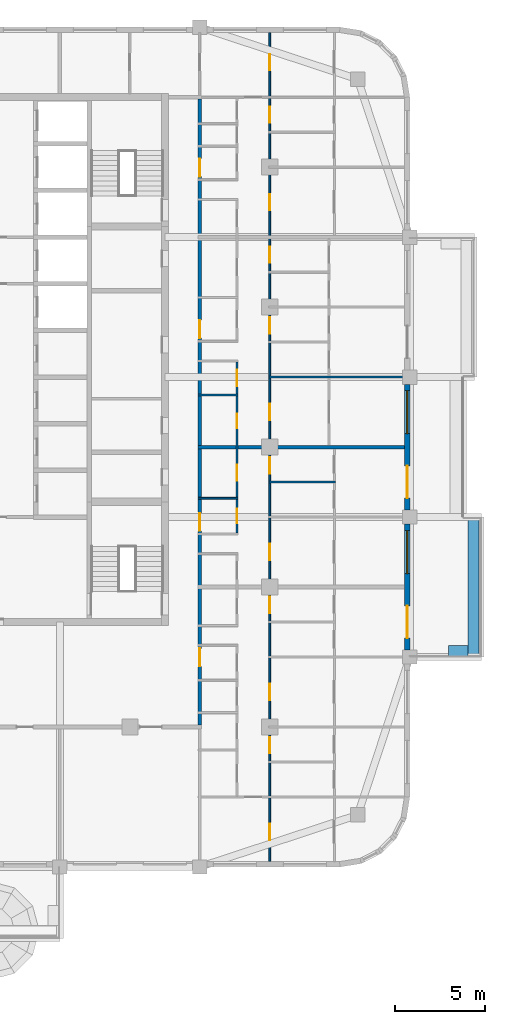
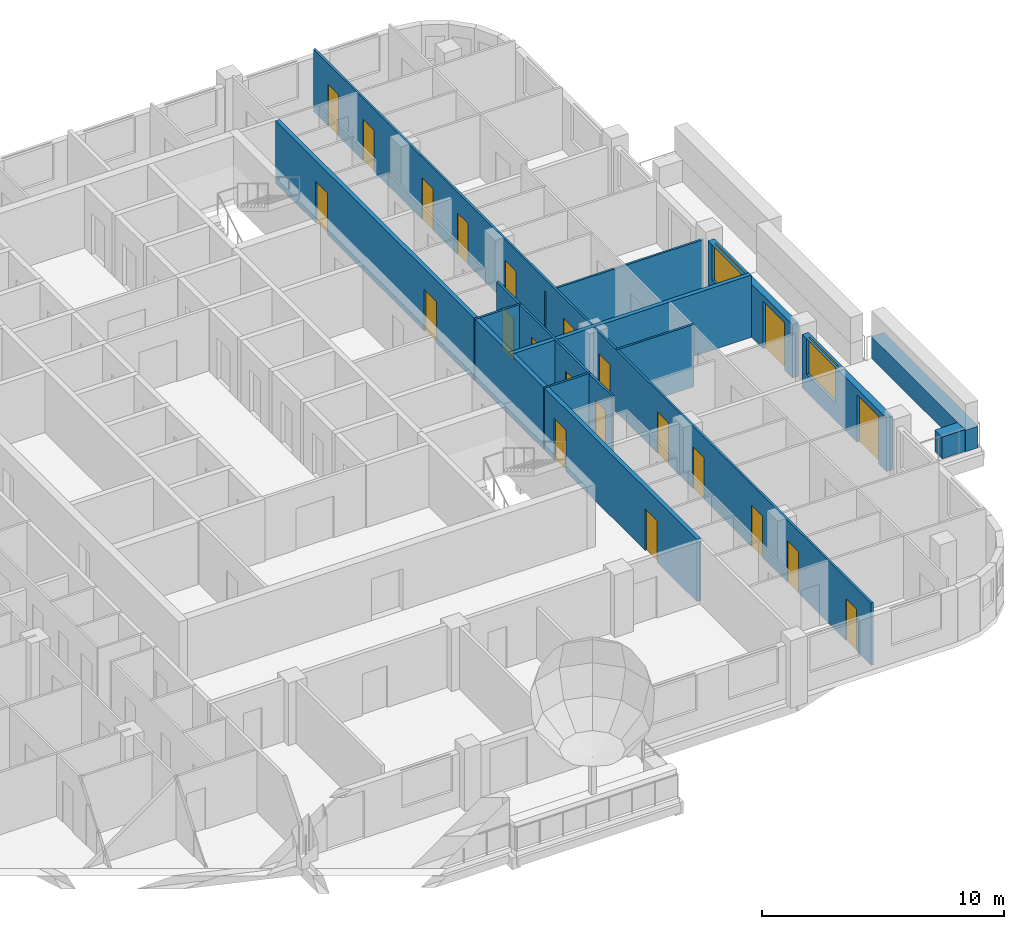
# One storey, part 7 of 17: 22 doors, 12 walls, 2 windows, 24 openings.
"""IFC4 building model written with IfcOpenShell, lengths in metres."""

from ifc_helpers import new_model, si_unit, direction, frame, frame_2d, origin, place, context, subcontext, project, spatial, rectangle, extrude, material, layer, layer_set, type_object, element, fill, save


model = new_model("IFC4")

# Units and contexts
model_context = context("Model", 3, precision=1e-05, world=origin(), true_north=direction((0.0, 1.0)))
body_context = subcontext(model_context, "Body", "Model", "MODEL_VIEW")
ifc_project = project(units=[si_unit("LENGTHUNIT", "METRE"), si_unit("AREAUNIT", "SQUARE_METRE"), si_unit("VOLUMEUNIT", "CUBIC_METRE"), si_unit("PLANEANGLEUNIT", "RADIAN"), si_unit("MASSUNIT", "GRAM", prefix="KILO")], contexts=[model_context])

# Site, building, storey
site_placement = place(None, origin())
site = spatial("IfcSite", under=ifc_project, at=site_placement, CompositionType="ELEMENT")
building_placement = place(site_placement, origin())
building = spatial("IfcBuilding", under=site, at=building_placement, Name="Ludao Terraces", CompositionType="ELEMENT")
storey_placement = place(building_placement, frame((0.0, 0.0, 221.10009765625)))
storey = spatial("IfcBuildingStorey", under=building, at=storey_placement, Name="L60", CompositionType="ELEMENT", Elevation=221.10009765625)

# Walls
ifc_material_1 = material(Name="Concrete C40", Category="concrete")
ifc_layer_1 = layer(ifc_material_1, 0.60009765625)
ifc_layer_set_1 = layer_set([ifc_layer_1], Name="ENV Planter trough 600")
wall_type_1 = type_object("IfcWallType", Name="ENV Planter trough 600", PredefinedType="USERDEFINED", material=ifc_layer_set_1)
wall_1_placement = place(storey_placement, frame((111.949951171875, 53.300048828125, 0.0), z_axis=(0.0, 0.0, 1.0), x_axis=(0.0, 1.0, 0.0)))
element("IfcWall", 1, at=wall_1_placement, inside=storey, type_object=wall_type_1, Name="PL-L60-E1", ObjectType="PLANTER", PredefinedType="USERDEFINED", context=body_context, shape_type="SweptSolid", body=[
    extrude(rectangle(XDim=7.800048828125, YDim=0.60009765625, at=frame_2d((3.89990234375, 0.0))), origin(), (0.0, 0.0, 1.0), 1.099853515625),
])
wall_2_placement = place(storey_placement, frame((111.64990234375, 53.64990234375, 0.0), z_axis=(0.0, 0.0, 1.0), x_axis=(-1.0, 0.0, 0.0)))
element("IfcWall", 2, at=wall_2_placement, inside=storey, type_object=wall_type_1, Name="PL-L60-E1-SA", ObjectType="PLANTER", PredefinedType="USERDEFINED", context=body_context, shape_type="SweptSolid", body=[
    extrude(rectangle(XDim=1.099853515625, YDim=0.60009765625, at=frame_2d((0.5498046875, 0.0))), origin(), (0.0, 0.0, 1.0), 1.099853515625),
])

# Wall, openings, door, window
ifc_material_2 = material(Name="Granite cladding", Category="masonry")
ifc_layer_2 = layer(ifc_material_2, 0.0400390625, Category="stone")
ifc_material_3 = material(Name="Mineral wool")
ifc_layer_3 = layer(ifc_material_3, 0.06005859375)
ifc_layer_4 = layer(ifc_material_1, 0.199951171875, Category="concrete")
ifc_layer_set_2 = layer_set([ifc_layer_2, ifc_layer_3, ifc_layer_4], Name="ENV Stone-clad wall 300")
wall_type_2 = type_object("IfcWallType", Name="ENV Stone-clad wall 300", PredefinedType="SOLIDWALL", material=ifc_layer_set_2)
wall_3_placement = place(storey_placement, frame((108.25, 53.699951171875, 0.0), z_axis=(0.0, 0.0, 1.0), x_axis=(0.0, 1.0, 0.0)))
wall_3 = element("IfcWall", 3, at=wall_3_placement, inside=storey, type_object=wall_type_2, Name="EW-L60-E2", PredefinedType="SOLIDWALL", context=body_context, shape_type="SweptSolid", body=[
    extrude(rectangle(XDim=7.0, YDim=0.300048828125, at=frame_2d((3.5, 0.0))), origin(), (0.0, 0.0, 1.0), 2.699951171875),
])
opening_1_placement = place(wall_3_placement, frame((0.64990234375, 0.0, 0.0)))
opening_1 = element("IfcOpeningElement", 4, at=opening_1_placement, cuts=wall_3, Name="Opening BD", PredefinedType="OPENING", context=body_context, shape_type="SweptSolid", body=[
    extrude(rectangle(XDim=1.800048828125, YDim=2.39990234375, at=frame_2d((0.89990234375, 1.199951171875))), frame((0.0, 0.16015625, 0.0), z_axis=(0.0, -1.0, 0.0), x_axis=(1.0, 0.0, 0.0)), (0.0, 0.0, 1.0), 0.320068359375),
])
opening_2_placement = place(wall_3_placement, frame((4.25, 0.0, 0.89990234375)))
opening_2 = element("IfcOpeningElement", 5, at=opening_2_placement, cuts=wall_3, Name="Opening W1", PredefinedType="OPENING", context=body_context, shape_type="SweptSolid", body=[
    extrude(rectangle(XDim=2.39990234375, YDim=1.800048828125, at=frame_2d((1.199951171875, 0.89990234375))), frame((0.0, 0.16015625, 0.0), z_axis=(0.0, -1.0, 0.0), x_axis=(1.0, 0.0, 0.0)), (0.0, 0.0, 1.0), 0.320068359375),
])
ifc_material_4 = material(Name="Aluminium glazed door", Category="aluminium")
ifc_layer_5 = layer(ifc_material_4, 0.06005859375)
ifc_layer_set_3 = layer_set([ifc_layer_5], Name="ENV Balcony door BD 1800x2400")
door_type_1 = type_object("IfcDoorType", Name="ENV Balcony door BD 1800x2400", OperationType="DOUBLE_DOOR_SINGLE_SWING", PredefinedType="DOOR", material=ifc_layer_set_3)
door_1_placement = place(opening_1_placement, origin())
door_1 = element("IfcDoor", 6, at=door_1_placement, inside=storey, type_object=door_type_1, Name="BD-L60-E2-1", OperationType="DOUBLE_DOOR_SINGLE_SWING", OverallHeight=2.39990234375, OverallWidth=1.800048828125, PredefinedType="DOOR", context=body_context, shape_type="SweptSolid", body=[
    extrude(rectangle(XDim=1.800048828125, YDim=2.39990234375, at=frame_2d((0.89990234375, 1.199951171875))), frame((0.0, 0.02490234375, 0.0), z_axis=(0.0, -1.0, 0.0), x_axis=(1.0, 0.0, 0.0)), (0.0, 0.0, 1.0), 0.050048828125),
])
fill(opening_1, door_1)
ifc_material_5 = material(Name="Clear glass in aluminium frame", Category="aluminium")
ifc_layer_6 = layer(ifc_material_5, 0.06005859375)
ifc_layer_set_4 = layer_set([ifc_layer_6], Name="ENV Window W1 2400x1800")
window_type = type_object("IfcWindowType", Name="ENV Window W1 2400x1800", PartitioningType="DOUBLE_PANEL_VERTICAL", PredefinedType="WINDOW", material=ifc_layer_set_4)
window_1_placement = place(opening_2_placement, origin())
window_1 = element("IfcWindow", 7, at=window_1_placement, inside=storey, type_object=window_type, Name="W-L60-E2-2", OverallHeight=1.800048828125, OverallWidth=2.39990234375, PartitioningType="DOUBLE_PANEL_VERTICAL", PredefinedType="WINDOW", context=body_context, shape_type="SweptSolid", body=[
    extrude(rectangle(XDim=2.39990234375, YDim=1.800048828125, at=frame_2d((1.199951171875, 0.89990234375))), frame((0.0, 0.030029296875, 0.0), z_axis=(0.0, -1.0, 0.0), x_axis=(1.0, 0.0, 0.0)), (0.0, 0.0, 1.0), 0.06005859375),
])
fill(opening_2, window_1)

wall_4_placement = place(storey_placement, frame((108.25, 61.5, 0.0), z_axis=(0.0, 0.0, 1.0), x_axis=(0.0, 1.0, 0.0)))
wall_4 = element("IfcWall", 8, at=wall_4_placement, inside=storey, type_object=wall_type_2, Name="EW-L60-E3", PredefinedType="SOLIDWALL", context=body_context, shape_type="SweptSolid", body=[
    extrude(rectangle(XDim=7.0, YDim=0.300048828125, at=frame_2d((3.5, 0.0))), origin(), (0.0, 0.0, 1.0), 2.699951171875),
])
opening_3_placement = place(wall_4_placement, frame((0.64990234375, 0.0, 0.0)))
opening_3 = element("IfcOpeningElement", 9, at=opening_3_placement, cuts=wall_4, Name="Opening BD", PredefinedType="OPENING", context=body_context, shape_type="SweptSolid", body=[
    extrude(rectangle(XDim=1.800048828125, YDim=2.39990234375, at=frame_2d((0.89990234375, 1.199951171875))), frame((0.0, 0.16015625, 0.0), z_axis=(0.0, -1.0, 0.0), x_axis=(1.0, 0.0, 0.0)), (0.0, 0.0, 1.0), 0.320068359375),
])
opening_4_placement = place(wall_4_placement, frame((4.25, 0.0, 0.89990234375)))
opening_4 = element("IfcOpeningElement", 10, at=opening_4_placement, cuts=wall_4, Name="Opening W1", PredefinedType="OPENING", context=body_context, shape_type="SweptSolid", body=[
    extrude(rectangle(XDim=2.39990234375, YDim=1.800048828125, at=frame_2d((1.199951171875, 0.89990234375))), frame((0.0, 0.16015625, 0.0), z_axis=(0.0, -1.0, 0.0), x_axis=(1.0, 0.0, 0.0)), (0.0, 0.0, 1.0), 0.320068359375),
])
door_2_placement = place(opening_3_placement, origin())
door_2 = element("IfcDoor", 11, at=door_2_placement, inside=storey, type_object=door_type_1, Name="BD-L60-E3-1", OperationType="DOUBLE_DOOR_SINGLE_SWING", OverallHeight=2.39990234375, OverallWidth=1.800048828125, PredefinedType="DOOR", context=body_context, shape_type="SweptSolid", body=[
    extrude(rectangle(XDim=1.800048828125, YDim=2.39990234375, at=frame_2d((0.89990234375, 1.199951171875))), frame((0.0, 0.02490234375, 0.0), z_axis=(0.0, -1.0, 0.0), x_axis=(1.0, 0.0, 0.0)), (0.0, 0.0, 1.0), 0.050048828125),
])
fill(opening_3, door_2)
window_2_placement = place(opening_4_placement, origin())
window_2 = element("IfcWindow", 12, at=window_2_placement, inside=storey, type_object=window_type, Name="W-L60-E3-2", OverallHeight=1.800048828125, OverallWidth=2.39990234375, PartitioningType="DOUBLE_PANEL_VERTICAL", PredefinedType="WINDOW", context=body_context, shape_type="SweptSolid", body=[
    extrude(rectangle(XDim=2.39990234375, YDim=1.800048828125, at=frame_2d((1.199951171875, 0.89990234375))), frame((0.0, 0.030029296875, 0.0), z_axis=(0.0, -1.0, 0.0), x_axis=(1.0, 0.0, 0.0)), (0.0, 0.0, 1.0), 0.06005859375),
])
fill(opening_4, window_2)

# Wall, openings, doors
ifc_material_6 = material(Name="Autoclaved aerated concrete block B06 A3.5", Category="concrete")
ifc_layer_7 = layer(ifc_material_6, 0.199951171875)
ifc_layer_set_5 = layer_set([ifc_layer_7], Name="INT Entrance wall 200")
wall_type_3 = type_object("IfcWallType", Name="INT Entrance wall 200", PredefinedType="PARTITIONING", material=ifc_layer_set_5)
wall_5_placement = place(storey_placement, frame((96.699951171875, 49.5, 0.0), z_axis=(0.0, 0.0, 1.0), x_axis=(0.0, 1.0, 0.0)))
wall_5 = element("IfcWall", 13, at=wall_5_placement, inside=storey, type_object=wall_type_3, Name="PW-L60-PW090", PredefinedType="PARTITIONING", context=body_context, shape_type="SweptSolid", body=[
    extrude(rectangle(XDim=34.900146484375, YDim=0.199951171875, at=frame_2d((17.4501953125, 0.0))), origin(), (0.0, 0.0, 1.0), 3.14990234375),
])
opening_5_placement = place(wall_5_placement, frame((3.275146484375, 0.0, 0.0)))
opening_5 = element("IfcOpeningElement", 14, at=opening_5_placement, cuts=wall_5, Name="Opening R21-028", PredefinedType="OPENING", context=body_context, shape_type="SweptSolid", body=[
    extrude(rectangle(XDim=1.0, YDim=2.10009765625, at=frame_2d((0.5, 1.050048828125))), frame((0.0, 0.10986328125, 0.0), z_axis=(0.0, -1.0, 0.0), x_axis=(1.0, 0.0, 0.0)), (0.0, 0.0, 1.0), 0.219970703125),
])
opening_6_placement = place(wall_5_placement, frame((10.8251953125, 0.0, 0.0)))
opening_6 = element("IfcOpeningElement", 15, at=opening_6_placement, cuts=wall_5, Name="Opening R21-049", PredefinedType="OPENING", context=body_context, shape_type="SweptSolid", body=[
    extrude(rectangle(XDim=1.0, YDim=2.10009765625, at=frame_2d((0.5, 1.050048828125))), frame((0.0, 0.10986328125, 0.0), z_axis=(0.0, -1.0, 0.0), x_axis=(1.0, 0.0, 0.0)), (0.0, 0.0, 1.0), 0.219970703125),
])
opening_7_placement = place(wall_5_placement, frame((21.5751953125, 0.0, 0.0)))
opening_7 = element("IfcOpeningElement", 16, at=opening_7_placement, cuts=wall_5, Name="Opening R21-083", PredefinedType="OPENING", context=body_context, shape_type="SweptSolid", body=[
    extrude(rectangle(XDim=1.0, YDim=2.10009765625, at=frame_2d((0.5, 1.050048828125))), frame((0.0, 0.10986328125, 0.0), z_axis=(0.0, -1.0, 0.0), x_axis=(1.0, 0.0, 0.0)), (0.0, 0.0, 1.0), 0.219970703125),
])
opening_8_placement = place(wall_5_placement, frame((30.5751953125, 0.0, 0.0)))
opening_8 = element("IfcOpeningElement", 17, at=opening_8_placement, cuts=wall_5, Name="Opening R21-118", PredefinedType="OPENING", context=body_context, shape_type="SweptSolid", body=[
    extrude(rectangle(XDim=1.0, YDim=2.10009765625, at=frame_2d((0.5, 1.050048828125))), frame((0.0, 0.10986328125, 0.0), z_axis=(0.0, -1.0, 0.0), x_axis=(1.0, 0.0, 0.0)), (0.0, 0.0, 1.0), 0.219970703125),
])
ifc_material_7 = material(Name="Steel Q235", Category="steel")
door_type_2 = type_object("IfcDoorType", Name="INT Flat entrance door 1000", OperationType="SINGLE_SWING_LEFT", PredefinedType="DOOR", material=ifc_material_7)
door_3_placement = place(opening_5_placement, origin())
door_3 = element("IfcDoor", 18, at=door_3_placement, inside=storey, type_object=door_type_2, Name="DOOR 028", OperationType="SINGLE_SWING_RIGHT", OverallHeight=2.10009765625, OverallWidth=1.0, PredefinedType="DOOR", context=body_context, shape_type="SweptSolid", body=[
    extrude(rectangle(XDim=1.0, YDim=2.10009765625, at=frame_2d((0.5, 1.050048828125))), frame((0.0, 0.02490234375, 0.0), z_axis=(0.0, -1.0, 0.0), x_axis=(1.0, 0.0, 0.0)), (0.0, 0.0, 1.0), 0.050048828125),
])
fill(opening_5, door_3)
door_4_placement = place(opening_6_placement, origin())
door_4 = element("IfcDoor", 19, at=door_4_placement, inside=storey, type_object=door_type_2, Name="DOOR 049", OperationType="SINGLE_SWING_LEFT", OverallHeight=2.10009765625, OverallWidth=1.0, PredefinedType="DOOR", context=body_context, shape_type="SweptSolid", body=[
    extrude(rectangle(XDim=1.0, YDim=2.10009765625, at=frame_2d((0.5, 1.050048828125))), frame((0.0, 0.02490234375, 0.0), z_axis=(0.0, -1.0, 0.0), x_axis=(1.0, 0.0, 0.0)), (0.0, 0.0, 1.0), 0.050048828125),
])
fill(opening_6, door_4)
door_5_placement = place(opening_7_placement, origin())
door_5 = element("IfcDoor", 20, at=door_5_placement, inside=storey, type_object=door_type_2, Name="DOOR 083", OperationType="SINGLE_SWING_LEFT", OverallHeight=2.10009765625, OverallWidth=1.0, PredefinedType="DOOR", context=body_context, shape_type="SweptSolid", body=[
    extrude(rectangle(XDim=1.0, YDim=2.10009765625, at=frame_2d((0.5, 1.050048828125))), frame((0.0, 0.02490234375, 0.0), z_axis=(0.0, -1.0, 0.0), x_axis=(1.0, 0.0, 0.0)), (0.0, 0.0, 1.0), 0.050048828125),
])
fill(opening_7, door_5)
door_6_placement = place(opening_8_placement, origin())
door_6 = element("IfcDoor", 21, at=door_6_placement, inside=storey, type_object=door_type_2, Name="DOOR 118", OperationType="SINGLE_SWING_LEFT", OverallHeight=2.10009765625, OverallWidth=1.0, PredefinedType="DOOR", context=body_context, shape_type="SweptSolid", body=[
    extrude(rectangle(XDim=1.0, YDim=2.10009765625, at=frame_2d((0.5, 1.050048828125))), frame((0.0, 0.02490234375, 0.0), z_axis=(0.0, -1.0, 0.0), x_axis=(1.0, 0.0, 0.0)), (0.0, 0.0, 1.0), 0.050048828125),
])
fill(opening_8, door_6)

# Walls
ifc_material_8 = material(Name="Gypsum plasterboard", Category="gypsum")
ifc_layer_8 = layer(ifc_material_8, 0.012451171875, Category="gypsum")
ifc_layer_9 = layer(ifc_material_3, 0.06005859375, Name="insulation")
ifc_layer_10 = layer(ifc_material_7, 0.014892578125, Name="stud")
ifc_layer_11 = layer(ifc_material_8, 0.012451171875, Category="gypsum")
ifc_layer_set_6 = layer_set([ifc_layer_8, ifc_layer_9, ifc_layer_10, ifc_layer_11], Name="INT Partition 100")
wall_type_4 = type_object("IfcWallType", Name="INT Partition 100", PredefinedType="PARTITIONING", material=ifc_layer_set_6)
wall_6_placement = place(storey_placement, frame((96.60009765625, 62.14990234375, 0.0), z_axis=(0.0, 0.0, 1.0), x_axis=(1.0, 0.0, 0.0)))
element("IfcWall", 22, at=wall_6_placement, inside=storey, type_object=wall_type_4, Name="PW-L60-PW029", PredefinedType="PARTITIONING", context=body_context, shape_type="SweptSolid", body=[
    extrude(rectangle(XDim=2.219970703125, YDim=0.10009765625, at=frame_2d((1.10986328125, 0.0))), origin(), (0.0, 0.0, 1.0), 3.14990234375),
])
wall_7_placement = place(storey_placement, frame((100.550048828125, 63.050048828125, 0.0), z_axis=(0.0, 0.0, 1.0), x_axis=(1.0, 0.0, 0.0)))
element("IfcWall", 23, at=wall_7_placement, inside=storey, type_object=wall_type_4, Name="PW-L60-PW030", PredefinedType="PARTITIONING", context=body_context, shape_type="SweptSolid", body=[
    extrude(rectangle(XDim=3.699951171875, YDim=0.10009765625, at=frame_2d((1.85009765625, 0.0))), origin(), (0.0, 0.0, 1.0), 3.14990234375),
])
wall_8_placement = place(storey_placement, frame((96.60009765625, 67.89990234375, 0.0), z_axis=(0.0, 0.0, 1.0), x_axis=(1.0, 0.0, 0.0)))
element("IfcWall", 24, at=wall_8_placement, inside=storey, type_object=wall_type_4, Name="PW-L60-PW036", PredefinedType="PARTITIONING", context=body_context, shape_type="SweptSolid", body=[
    extrude(rectangle(XDim=2.219970703125, YDim=0.10009765625, at=frame_2d((1.10986328125, 0.0))), origin(), (0.0, 0.0, 1.0), 3.14990234375),
])
wall_9_placement = place(storey_placement, frame((100.550048828125, 68.89990234375, 0.0), z_axis=(0.0, 0.0, 1.0), x_axis=(1.0, 0.0, 0.0)))
element("IfcWall", 25, at=wall_9_placement, inside=storey, type_object=wall_type_4, Name="PW-L60-PW039", PredefinedType="PARTITIONING", context=body_context, shape_type="SweptSolid", body=[
    extrude(rectangle(XDim=7.550048828125, YDim=0.10009765625, at=frame_2d((3.77490234375, 0.0))), origin(), (0.0, 0.0, 1.0), 2.5498046875),
])

# Wall, openings, doors
wall_10_placement = place(storey_placement, frame((98.77001953125, 60.2001953125, 0.0), z_axis=(0.0, 0.0, 1.0), x_axis=(0.0, 1.0, 0.0)))
wall_10 = element("IfcWall", 26, at=wall_10_placement, inside=storey, type_object=wall_type_4, Name="PW-L60-PW094", PredefinedType="PARTITIONING", context=body_context, shape_type="SweptSolid", body=[
    extrude(rectangle(XDim=9.5498046875, YDim=0.10009765625, at=frame_2d((4.77490234375, 0.0))), origin(), (0.0, 0.0, 1.0), 3.14990234375),
])
opening_9_placement = place(wall_10_placement, frame((0.5498046875, 0.0, 0.0)))
opening_9 = element("IfcOpeningElement", 27, at=opening_9_placement, cuts=wall_10, Name="Opening R21-051", PredefinedType="OPENING", context=body_context, shape_type="SweptSolid", body=[
    extrude(rectangle(XDim=0.800048828125, YDim=2.10009765625, at=frame_2d((0.39990234375, 1.050048828125))), frame((0.0, 0.06005859375, 0.0), z_axis=(0.0, -1.0, 0.0), x_axis=(1.0, 0.0, 0.0)), (0.0, 0.0, 1.0), 0.1201171875),
])
opening_10_placement = place(wall_10_placement, frame((2.9248046875, 0.0, 0.0)))
opening_10 = element("IfcOpeningElement", 28, at=opening_10_placement, cuts=wall_10, Name="Opening R21-060", PredefinedType="OPENING", context=body_context, shape_type="SweptSolid", body=[
    extrude(rectangle(XDim=0.89990234375, YDim=2.10009765625, at=frame_2d((0.449951171875, 1.050048828125))), frame((0.0, 0.06005859375, 0.0), z_axis=(0.0, -1.0, 0.0), x_axis=(1.0, 0.0, 0.0)), (0.0, 0.0, 1.0), 0.1201171875),
])
opening_11_placement = place(wall_10_placement, frame((5.849853515625, 0.0, 0.0)))
opening_11 = element("IfcOpeningElement", 29, at=opening_11_placement, cuts=wall_10, Name="Opening R21-067", PredefinedType="OPENING", context=body_context, shape_type="SweptSolid", body=[
    extrude(rectangle(XDim=0.800048828125, YDim=2.10009765625, at=frame_2d((0.39990234375, 1.050048828125))), frame((0.0, 0.06005859375, 0.0), z_axis=(0.0, -1.0, 0.0), x_axis=(1.0, 0.0, 0.0)), (0.0, 0.0, 1.0), 0.1201171875),
])
opening_12_placement = place(wall_10_placement, frame((8.199951171875, 0.0, 0.0)))
opening_12 = element("IfcOpeningElement", 30, at=opening_12_placement, cuts=wall_10, Name="Opening R21-074", PredefinedType="OPENING", context=body_context, shape_type="SweptSolid", body=[
    extrude(rectangle(XDim=0.89990234375, YDim=2.10009765625, at=frame_2d((0.449951171875, 1.050048828125))), frame((0.0, 0.06005859375, 0.0), z_axis=(0.0, -1.0, 0.0), x_axis=(1.0, 0.0, 0.0)), (0.0, 0.0, 1.0), 0.1201171875),
])
ifc_material_9 = material(Name="Timber door leaf", Category="wood")
door_type_3 = type_object("IfcDoorType", Name="INT Bathroom door 900", OperationType="SINGLE_SWING_LEFT", PredefinedType="DOOR", material=ifc_material_9)
door_7_placement = place(opening_12_placement, origin())
door_7 = element("IfcDoor", 31, at=door_7_placement, inside=storey, type_object=door_type_3, Name="DOOR 074", OperationType="SINGLE_SWING_LEFT", OverallHeight=2.10009765625, OverallWidth=0.89990234375, PredefinedType="DOOR", context=body_context, shape_type="SweptSolid", body=[
    extrude(rectangle(XDim=0.89990234375, YDim=2.10009765625, at=frame_2d((0.449951171875, 1.050048828125))), frame((0.0, 0.02490234375, 0.0), z_axis=(0.0, -1.0, 0.0), x_axis=(1.0, 0.0, 0.0)), (0.0, 0.0, 1.0), 0.050048828125),
])
fill(opening_12, door_7)
door_type_4 = type_object("IfcDoorType", Name="INT Room door 900", OperationType="SINGLE_SWING_LEFT", PredefinedType="DOOR", material=ifc_material_9)
door_8_placement = place(opening_10_placement, origin())
door_8 = element("IfcDoor", 32, at=door_8_placement, inside=storey, type_object=door_type_4, Name="DOOR 060", OperationType="SINGLE_SWING_LEFT", OverallHeight=2.10009765625, OverallWidth=0.89990234375, PredefinedType="DOOR", context=body_context, shape_type="SweptSolid", body=[
    extrude(rectangle(XDim=0.89990234375, YDim=2.10009765625, at=frame_2d((0.449951171875, 1.050048828125))), frame((0.0, 0.02490234375, 0.0), z_axis=(0.0, -1.0, 0.0), x_axis=(1.0, 0.0, 0.0)), (0.0, 0.0, 1.0), 0.050048828125),
])
fill(opening_10, door_8)
door_type_5 = type_object("IfcDoorType", Name="INT Store door 800", OperationType="SINGLE_SWING_LEFT", PredefinedType="DOOR", material=ifc_material_9)
door_9_placement = place(opening_9_placement, origin())
door_9 = element("IfcDoor", 33, at=door_9_placement, inside=storey, type_object=door_type_5, Name="DOOR 051", OperationType="SINGLE_SWING_LEFT", OverallHeight=2.10009765625, OverallWidth=0.800048828125, PredefinedType="DOOR", context=body_context, shape_type="SweptSolid", body=[
    extrude(rectangle(XDim=0.800048828125, YDim=2.10009765625, at=frame_2d((0.39990234375, 1.050048828125))), frame((0.0, 0.02490234375, 0.0), z_axis=(0.0, -1.0, 0.0), x_axis=(1.0, 0.0, 0.0)), (0.0, 0.0, 1.0), 0.050048828125),
])
fill(opening_9, door_9)
door_10_placement = place(opening_11_placement, origin())
door_10 = element("IfcDoor", 34, at=door_10_placement, inside=storey, type_object=door_type_5, Name="DOOR 067", OperationType="SINGLE_SWING_LEFT", OverallHeight=2.10009765625, OverallWidth=0.800048828125, PredefinedType="DOOR", context=body_context, shape_type="SweptSolid", body=[
    extrude(rectangle(XDim=0.800048828125, YDim=2.10009765625, at=frame_2d((0.39990234375, 1.050048828125))), frame((0.0, 0.02490234375, 0.0), z_axis=(0.0, -1.0, 0.0), x_axis=(1.0, 0.0, 0.0)), (0.0, 0.0, 1.0), 0.050048828125),
])
fill(opening_11, door_10)

wall_11_placement = place(storey_placement, frame((100.60009765625, 41.900146484375, 0.0), z_axis=(0.0, 0.0, 1.0), x_axis=(0.0, 1.0, 0.0)))
wall_11 = element("IfcWall", 35, at=wall_11_placement, inside=storey, type_object=wall_type_4, Name="PW-L60-PW097", PredefinedType="PARTITIONING", context=body_context, shape_type="SweptSolid", body=[
    extrude(rectangle(XDim=46.199951171875, YDim=0.10009765625, at=frame_2d((23.10009765625, 0.0))), origin(), (0.0, 0.0, 1.0), 3.14990234375),
])
opening_13_placement = place(wall_11_placement, frame((1.199951171875, 0.0, 0.0)))
opening_13 = element("IfcOpeningElement", 36, at=opening_13_placement, cuts=wall_11, Name="Opening R21-003", PredefinedType="OPENING", context=body_context, shape_type="SweptSolid", body=[
    extrude(rectangle(XDim=0.89990234375, YDim=2.10009765625, at=frame_2d((0.449951171875, 1.050048828125))), frame((0.0, 0.06005859375, 0.0), z_axis=(0.0, -1.0, 0.0), x_axis=(1.0, 0.0, 0.0)), (0.0, 0.0, 1.0), 0.1201171875),
])
opening_14_placement = place(wall_11_placement, frame((6.02490234375, 0.0, 0.0)))
opening_14 = element("IfcOpeningElement", 37, at=opening_14_placement, cuts=wall_11, Name="Opening R21-012", PredefinedType="OPENING", context=body_context, shape_type="SweptSolid", body=[
    extrude(rectangle(XDim=0.89990234375, YDim=2.10009765625, at=frame_2d((0.449951171875, 1.050048828125))), frame((0.0, 0.06005859375, 0.0), z_axis=(0.0, -1.0, 0.0), x_axis=(1.0, 0.0, 0.0)), (0.0, 0.0, 1.0), 0.1201171875),
])
opening_15_placement = place(wall_11_placement, frame((9.0, 0.0, 0.0)))
opening_15 = element("IfcOpeningElement", 38, at=opening_15_placement, cuts=wall_11, Name="Opening R21-024", PredefinedType="OPENING", context=body_context, shape_type="SweptSolid", body=[
    extrude(rectangle(XDim=0.89990234375, YDim=2.10009765625, at=frame_2d((0.449951171875, 1.050048828125))), frame((0.0, 0.06005859375, 0.0), z_axis=(0.0, -1.0, 0.0), x_axis=(1.0, 0.0, 0.0)), (0.0, 0.0, 1.0), 0.1201171875),
])
opening_16_placement = place(wall_11_placement, frame((13.85009765625, 0.0, 0.0)))
opening_16 = element("IfcOpeningElement", 39, at=opening_16_placement, cuts=wall_11, Name="Opening R21-036", PredefinedType="OPENING", context=body_context, shape_type="SweptSolid", body=[
    extrude(rectangle(XDim=0.89990234375, YDim=2.10009765625, at=frame_2d((0.449951171875, 1.050048828125))), frame((0.0, 0.06005859375, 0.0), z_axis=(0.0, -1.0, 0.0), x_axis=(1.0, 0.0, 0.0)), (0.0, 0.0, 1.0), 0.1201171875),
])
opening_17_placement = place(wall_11_placement, frame((16.800048828125, 0.0, 0.0)))
opening_17 = element("IfcOpeningElement", 40, at=opening_17_placement, cuts=wall_11, Name="Opening R21-044", PredefinedType="OPENING", context=body_context, shape_type="SweptSolid", body=[
    extrude(rectangle(XDim=0.89990234375, YDim=2.10009765625, at=frame_2d((0.449951171875, 1.050048828125))), frame((0.0, 0.06005859375, 0.0), z_axis=(0.0, -1.0, 0.0), x_axis=(1.0, 0.0, 0.0)), (0.0, 0.0, 1.0), 0.1201171875),
])
opening_18_placement = place(wall_11_placement, frame((21.625, 0.0, 0.0)))
opening_18 = element("IfcOpeningElement", 41, at=opening_18_placement, cuts=wall_11, Name="Opening R21-061", PredefinedType="OPENING", context=body_context, shape_type="SweptSolid", body=[
    extrude(rectangle(XDim=0.89990234375, YDim=2.10009765625, at=frame_2d((0.449951171875, 1.050048828125))), frame((0.0, 0.06005859375, 0.0), z_axis=(0.0, -1.0, 0.0), x_axis=(1.0, 0.0, 0.0)), (0.0, 0.0, 1.0), 0.1201171875),
])
opening_19_placement = place(wall_11_placement, frame((24.60009765625, 0.0, 0.0)))
opening_19 = element("IfcOpeningElement", 42, at=opening_19_placement, cuts=wall_11, Name="Opening R21-070", PredefinedType="OPENING", context=body_context, shape_type="SweptSolid", body=[
    extrude(rectangle(XDim=0.89990234375, YDim=2.10009765625, at=frame_2d((0.449951171875, 1.050048828125))), frame((0.0, 0.06005859375, 0.0), z_axis=(0.0, -1.0, 0.0), x_axis=(1.0, 0.0, 0.0)), (0.0, 0.0, 1.0), 0.1201171875),
])
opening_20_placement = place(wall_11_placement, frame((29.425048828125, 0.0, 0.0)))
opening_20 = element("IfcOpeningElement", 43, at=opening_20_placement, cuts=wall_11, Name="Opening R21-086", PredefinedType="OPENING", context=body_context, shape_type="SweptSolid", body=[
    extrude(rectangle(XDim=0.89990234375, YDim=2.10009765625, at=frame_2d((0.449951171875, 1.050048828125))), frame((0.0, 0.06005859375, 0.0), z_axis=(0.0, -1.0, 0.0), x_axis=(1.0, 0.0, 0.0)), (0.0, 0.0, 1.0), 0.1201171875),
])
opening_21_placement = place(wall_11_placement, frame((33.375, 0.0, 0.0)))
opening_21 = element("IfcOpeningElement", 44, at=opening_21_placement, cuts=wall_11, Name="Opening R21-103", PredefinedType="OPENING", context=body_context, shape_type="SweptSolid", body=[
    extrude(rectangle(XDim=0.89990234375, YDim=2.10009765625, at=frame_2d((0.449951171875, 1.050048828125))), frame((0.0, 0.06005859375, 0.0), z_axis=(0.0, -1.0, 0.0), x_axis=(1.0, 0.0, 0.0)), (0.0, 0.0, 1.0), 0.1201171875),
])
opening_22_placement = place(wall_11_placement, frame((36.300048828125, 0.0, 0.0)))
opening_22 = element("IfcOpeningElement", 45, at=opening_22_placement, cuts=wall_11, Name="Opening R21-114", PredefinedType="OPENING", context=body_context, shape_type="SweptSolid", body=[
    extrude(rectangle(XDim=0.89990234375, YDim=2.10009765625, at=frame_2d((0.449951171875, 1.050048828125))), frame((0.0, 0.06005859375, 0.0), z_axis=(0.0, -1.0, 0.0), x_axis=(1.0, 0.0, 0.0)), (0.0, 0.0, 1.0), 0.1201171875),
])
opening_23_placement = place(wall_11_placement, frame((41.175048828125, 0.0, 0.0)))
opening_23 = element("IfcOpeningElement", 46, at=opening_23_placement, cuts=wall_11, Name="Opening R21-130", PredefinedType="OPENING", context=body_context, shape_type="SweptSolid", body=[
    extrude(rectangle(XDim=0.89990234375, YDim=2.10009765625, at=frame_2d((0.449951171875, 1.050048828125))), frame((0.0, 0.06005859375, 0.0), z_axis=(0.0, -1.0, 0.0), x_axis=(1.0, 0.0, 0.0)), (0.0, 0.0, 1.0), 0.1201171875),
])
opening_24_placement = place(wall_11_placement, frame((44.10009765625, 0.0, 0.0)))
opening_24 = element("IfcOpeningElement", 47, at=opening_24_placement, cuts=wall_11, Name="Opening R21-143", PredefinedType="OPENING", context=body_context, shape_type="SweptSolid", body=[
    extrude(rectangle(XDim=0.89990234375, YDim=2.10009765625, at=frame_2d((0.449951171875, 1.050048828125))), frame((0.0, 0.06005859375, 0.0), z_axis=(0.0, -1.0, 0.0), x_axis=(1.0, 0.0, 0.0)), (0.0, 0.0, 1.0), 0.1201171875),
])
door_11_placement = place(opening_13_placement, origin())
door_11 = element("IfcDoor", 48, at=door_11_placement, inside=storey, type_object=door_type_4, Name="DOOR 003", OperationType="SINGLE_SWING_RIGHT", OverallHeight=2.10009765625, OverallWidth=0.89990234375, PredefinedType="DOOR", context=body_context, shape_type="SweptSolid", body=[
    extrude(rectangle(XDim=0.89990234375, YDim=2.10009765625, at=frame_2d((0.449951171875, 1.050048828125))), frame((0.0, 0.02490234375, 0.0), z_axis=(0.0, -1.0, 0.0), x_axis=(1.0, 0.0, 0.0)), (0.0, 0.0, 1.0), 0.050048828125),
])
fill(opening_13, door_11)
door_12_placement = place(opening_14_placement, origin())
door_12 = element("IfcDoor", 49, at=door_12_placement, inside=storey, type_object=door_type_4, Name="DOOR 012", OperationType="SINGLE_SWING_RIGHT", OverallHeight=2.10009765625, OverallWidth=0.89990234375, PredefinedType="DOOR", context=body_context, shape_type="SweptSolid", body=[
    extrude(rectangle(XDim=0.89990234375, YDim=2.10009765625, at=frame_2d((0.449951171875, 1.050048828125))), frame((0.0, 0.02490234375, 0.0), z_axis=(0.0, -1.0, 0.0), x_axis=(1.0, 0.0, 0.0)), (0.0, 0.0, 1.0), 0.050048828125),
])
fill(opening_14, door_12)
door_13_placement = place(opening_15_placement, origin())
door_13 = element("IfcDoor", 50, at=door_13_placement, inside=storey, type_object=door_type_4, Name="DOOR 024", OperationType="SINGLE_SWING_RIGHT", OverallHeight=2.10009765625, OverallWidth=0.89990234375, PredefinedType="DOOR", context=body_context, shape_type="SweptSolid", body=[
    extrude(rectangle(XDim=0.89990234375, YDim=2.10009765625, at=frame_2d((0.449951171875, 1.050048828125))), frame((0.0, 0.02490234375, 0.0), z_axis=(0.0, -1.0, 0.0), x_axis=(1.0, 0.0, 0.0)), (0.0, 0.0, 1.0), 0.050048828125),
])
fill(opening_15, door_13)
door_14_placement = place(opening_16_placement, origin())
door_14 = element("IfcDoor", 51, at=door_14_placement, inside=storey, type_object=door_type_4, Name="DOOR 036", OperationType="SINGLE_SWING_LEFT", OverallHeight=2.10009765625, OverallWidth=0.89990234375, PredefinedType="DOOR", context=body_context, shape_type="SweptSolid", body=[
    extrude(rectangle(XDim=0.89990234375, YDim=2.10009765625, at=frame_2d((0.449951171875, 1.050048828125))), frame((0.0, 0.02490234375, 0.0), z_axis=(0.0, -1.0, 0.0), x_axis=(1.0, 0.0, 0.0)), (0.0, 0.0, 1.0), 0.050048828125),
])
fill(opening_16, door_14)
door_15_placement = place(opening_17_placement, origin())
door_15 = element("IfcDoor", 52, at=door_15_placement, inside=storey, type_object=door_type_4, Name="DOOR 044", OperationType="SINGLE_SWING_LEFT", OverallHeight=2.10009765625, OverallWidth=0.89990234375, PredefinedType="DOOR", context=body_context, shape_type="SweptSolid", body=[
    extrude(rectangle(XDim=0.89990234375, YDim=2.10009765625, at=frame_2d((0.449951171875, 1.050048828125))), frame((0.0, 0.02490234375, 0.0), z_axis=(0.0, -1.0, 0.0), x_axis=(1.0, 0.0, 0.0)), (0.0, 0.0, 1.0), 0.050048828125),
])
fill(opening_17, door_15)
door_16_placement = place(opening_18_placement, origin())
door_16 = element("IfcDoor", 53, at=door_16_placement, inside=storey, type_object=door_type_4, Name="DOOR 061", OperationType="SINGLE_SWING_RIGHT", OverallHeight=2.10009765625, OverallWidth=0.89990234375, PredefinedType="DOOR", context=body_context, shape_type="SweptSolid", body=[
    extrude(rectangle(XDim=0.89990234375, YDim=2.10009765625, at=frame_2d((0.449951171875, 1.050048828125))), frame((0.0, 0.02490234375, 0.0), z_axis=(0.0, -1.0, 0.0), x_axis=(1.0, 0.0, 0.0)), (0.0, 0.0, 1.0), 0.050048828125),
])
fill(opening_18, door_16)
door_17_placement = place(opening_19_placement, origin())
door_17 = element("IfcDoor", 54, at=door_17_placement, inside=storey, type_object=door_type_4, Name="DOOR 070", OperationType="SINGLE_SWING_LEFT", OverallHeight=2.10009765625, OverallWidth=0.89990234375, PredefinedType="DOOR", context=body_context, shape_type="SweptSolid", body=[
    extrude(rectangle(XDim=0.89990234375, YDim=2.10009765625, at=frame_2d((0.449951171875, 1.050048828125))), frame((0.0, 0.02490234375, 0.0), z_axis=(0.0, -1.0, 0.0), x_axis=(1.0, 0.0, 0.0)), (0.0, 0.0, 1.0), 0.050048828125),
])
fill(opening_19, door_17)
door_18_placement = place(opening_20_placement, origin())
door_18 = element("IfcDoor", 55, at=door_18_placement, inside=storey, type_object=door_type_4, Name="DOOR 086", OperationType="SINGLE_SWING_RIGHT", OverallHeight=2.10009765625, OverallWidth=0.89990234375, PredefinedType="DOOR", context=body_context, shape_type="SweptSolid", body=[
    extrude(rectangle(XDim=0.89990234375, YDim=2.10009765625, at=frame_2d((0.449951171875, 1.050048828125))), frame((0.0, 0.02490234375, 0.0), z_axis=(0.0, -1.0, 0.0), x_axis=(1.0, 0.0, 0.0)), (0.0, 0.0, 1.0), 0.050048828125),
])
fill(opening_20, door_18)
door_19_placement = place(opening_21_placement, origin())
door_19 = element("IfcDoor", 56, at=door_19_placement, inside=storey, type_object=door_type_4, Name="DOOR 103", OperationType="SINGLE_SWING_LEFT", OverallHeight=2.10009765625, OverallWidth=0.89990234375, PredefinedType="DOOR", context=body_context, shape_type="SweptSolid", body=[
    extrude(rectangle(XDim=0.89990234375, YDim=2.10009765625, at=frame_2d((0.449951171875, 1.050048828125))), frame((0.0, 0.02490234375, 0.0), z_axis=(0.0, -1.0, 0.0), x_axis=(1.0, 0.0, 0.0)), (0.0, 0.0, 1.0), 0.050048828125),
])
fill(opening_21, door_19)
door_20_placement = place(opening_22_placement, origin())
door_20 = element("IfcDoor", 57, at=door_20_placement, inside=storey, type_object=door_type_4, Name="DOOR 114", OperationType="SINGLE_SWING_LEFT", OverallHeight=2.10009765625, OverallWidth=0.89990234375, PredefinedType="DOOR", context=body_context, shape_type="SweptSolid", body=[
    extrude(rectangle(XDim=0.89990234375, YDim=2.10009765625, at=frame_2d((0.449951171875, 1.050048828125))), frame((0.0, 0.02490234375, 0.0), z_axis=(0.0, -1.0, 0.0), x_axis=(1.0, 0.0, 0.0)), (0.0, 0.0, 1.0), 0.050048828125),
])
fill(opening_22, door_20)
door_21_placement = place(opening_23_placement, origin())
door_21 = element("IfcDoor", 58, at=door_21_placement, inside=storey, type_object=door_type_4, Name="DOOR 130", OperationType="SINGLE_SWING_RIGHT", OverallHeight=2.10009765625, OverallWidth=0.89990234375, PredefinedType="DOOR", context=body_context, shape_type="SweptSolid", body=[
    extrude(rectangle(XDim=0.89990234375, YDim=2.10009765625, at=frame_2d((0.449951171875, 1.050048828125))), frame((0.0, 0.02490234375, 0.0), z_axis=(0.0, -1.0, 0.0), x_axis=(1.0, 0.0, 0.0)), (0.0, 0.0, 1.0), 0.050048828125),
])
fill(opening_23, door_21)
door_22_placement = place(opening_24_placement, origin())
door_22 = element("IfcDoor", 59, at=door_22_placement, inside=storey, type_object=door_type_4, Name="DOOR 143", OperationType="SINGLE_SWING_LEFT", OverallHeight=2.10009765625, OverallWidth=0.89990234375, PredefinedType="DOOR", context=body_context, shape_type="SweptSolid", body=[
    extrude(rectangle(XDim=0.89990234375, YDim=2.10009765625, at=frame_2d((0.449951171875, 1.050048828125))), frame((0.0, 0.02490234375, 0.0), z_axis=(0.0, -1.0, 0.0), x_axis=(1.0, 0.0, 0.0)), (0.0, 0.0, 1.0), 0.050048828125),
])
fill(opening_24, door_22)

# Wall
ifc_layer_12 = layer(ifc_material_6, 0.199951171875)
ifc_layer_set_7 = layer_set([ifc_layer_12], Name="INT Party wall 200")
wall_type_5 = type_object("IfcWallType", Name="INT Party wall 200", PredefinedType="PARTITIONING", material=ifc_layer_set_7)
wall_12_placement = place(storey_placement, frame((96.60009765625, 65.0, 0.0), z_axis=(0.0, 0.0, 1.0), x_axis=(1.0, 0.0, 0.0)))
element("IfcWall", 60, at=wall_12_placement, inside=storey, type_object=wall_type_5, Name="PW-L60-PW033", PredefinedType="PARTITIONING", context=body_context, shape_type="SweptSolid", body=[
    extrude(rectangle(XDim=11.5, YDim=0.199951171875, at=frame_2d((5.75, 0.0))), origin(), (0.0, 0.0, 1.0), 3.14990234375),
])

save(model, "model.ifc")
